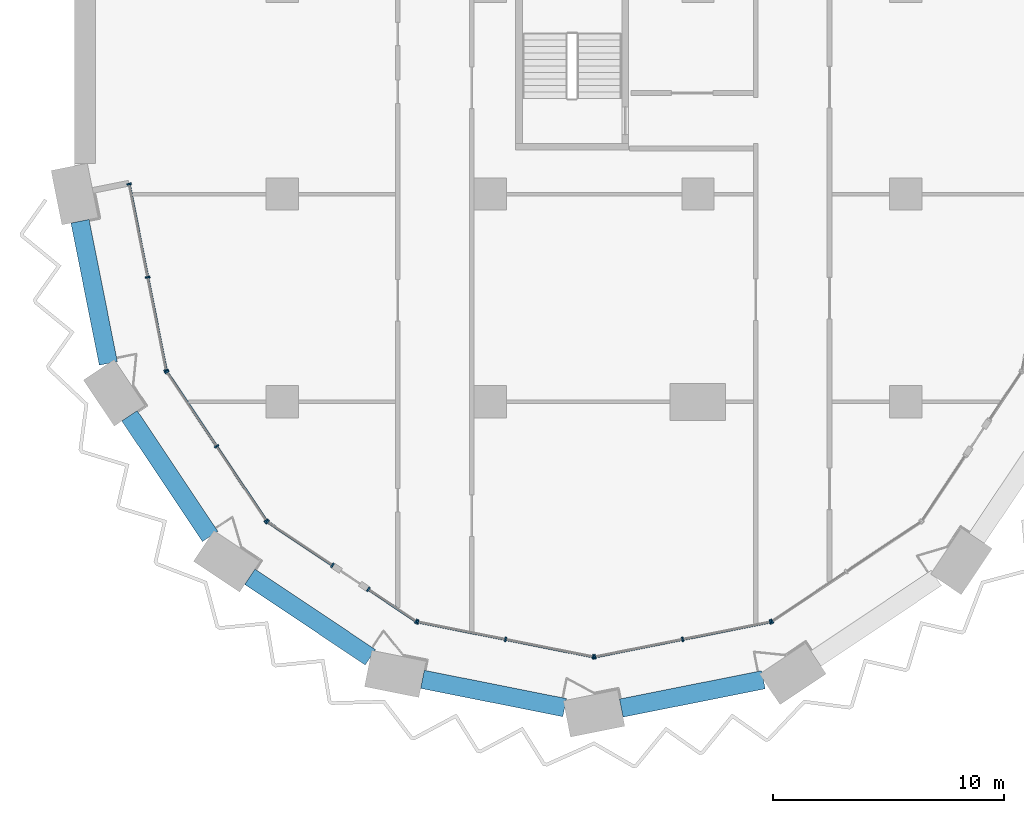
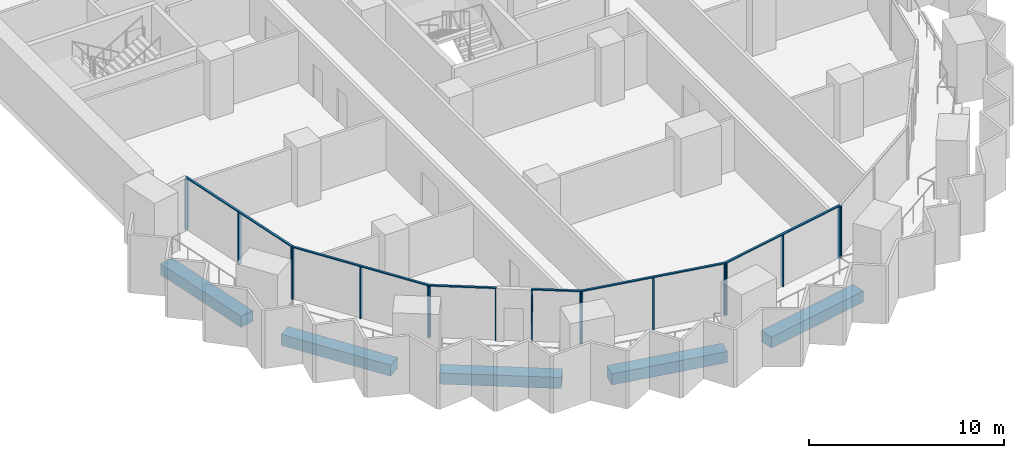
# One storey, part 2 of 29: 23 members, 5 beams, 7 elements without a shape of their own.
"""IFC4 building model written with IfcOpenShell, lengths in metres."""

from ifc_helpers import new_model, si_unit, direction, frame, origin, origin_2d, place, context, subcontext, project, spatial, rectangle, extrude, material, material_profile, profile_set, type_object, element, aggregate, save


model = new_model("IFC4")

# Units and contexts
model_context = context("Model", 3, precision=1e-05, world=origin(), true_north=direction((0.0, 1.0)))
body_context = subcontext(model_context, "Body", "Model", "MODEL_VIEW")
ifc_project = project(units=[si_unit("LENGTHUNIT", "METRE"), si_unit("AREAUNIT", "SQUARE_METRE"), si_unit("VOLUMEUNIT", "CUBIC_METRE"), si_unit("PLANEANGLEUNIT", "RADIAN"), si_unit("MASSUNIT", "GRAM", prefix="KILO")], contexts=[model_context])

# Site, building, storey
site_placement = place(None, origin())
site = spatial("IfcSite", under=ifc_project, at=site_placement, CompositionType="ELEMENT")
building_placement = place(site_placement, origin())
building = spatial("IfcBuilding", under=site, at=building_placement, Name="Hunhe Ridgeline Campus", CompositionType="ELEMENT")
storey_placement = place(building_placement, frame((0.0, 0.0, 69.10009765625)))
storey = spatial("IfcBuildingStorey", under=building, at=storey_placement, Name="L16", CompositionType="ELEMENT", Elevation=69.10009765625)

# Curtain wall, members
ifc_material_1 = material(Name="Aluminium 6063", Category="aluminium")
curtain_wall_type = type_object("IfcCurtainWallType", Name="Curtain wall CW-5", PredefinedType="NOTDEFINED", material=ifc_material_1)
curtain_wall_1_placement = place(storey_placement, origin())
curtain_wall_1 = element("IfcCurtainWall", 1, at=curtain_wall_1_placement, inside=storey, type_object=curtain_wall_type, Name="Curtain wall 01", PredefinedType="NOTDEFINED")
ifc_material_profile_1 = material_profile(ifc_material_1, rectangle(XDim=0.199951171875, YDim=0.070068359375, at=origin_2d()))
ifc_profile_set_1 = profile_set([ifc_material_profile_1], Name="Aluminium 6063")
member_type_1 = type_object("IfcMemberType", Name="CW-5 aluminium mullion", PredefinedType="MULLION", material=ifc_profile_set_1)
member_1_placement = place(storey_placement, frame((2.361572265625, 27.434326171875, 0.0), z_axis=(0.0, 0.0, 1.0), x_axis=(0.980784280831, 0.195095347137, 0.0)))
member_1 = element("IfcMember", 2, at=member_1_placement, type_object=member_type_1, Name="CW-5 mullion 1", PredefinedType="MULLION", context=body_context, shape_type="SweptSolid", body=[
    extrude(rectangle(XDim=0.199951171875, YDim=0.070068359375, at=origin_2d()), origin(), (0.0, 0.0, 1.0), 3.22998046875),
])
member_2_placement = place(storey_placement, frame((3.16455078125, 23.3974609375, 0.0), z_axis=(0.0, 0.0, 1.0), x_axis=(0.980784280831, 0.195095347137, 0.0)))
member_2 = element("IfcMember", 3, at=member_2_placement, type_object=member_type_1, Name="CW-5 mullion 2", PredefinedType="MULLION", context=body_context, shape_type="SweptSolid", body=[
    extrude(rectangle(XDim=0.199951171875, YDim=0.070068359375, at=origin_2d()), origin(), (0.0, 0.0, 1.0), 3.22998046875),
])
member_3_placement = place(storey_placement, frame((3.967529296875, 19.36083984375, 0.0), z_axis=(0.0, 0.0, 1.0), x_axis=(0.980784280831, 0.195095347137, 0.0)))
member_3 = element("IfcMember", 4, at=member_3_placement, type_object=member_type_1, Name="CW-5 mullion 3", PredefinedType="MULLION", context=body_context, shape_type="SweptSolid", body=[
    extrude(rectangle(XDim=0.199951171875, YDim=0.070068359375, at=origin_2d()), origin(), (0.0, 0.0, 1.0), 3.22998046875),
])

curtain_wall_2_placement = place(storey_placement, origin())
curtain_wall_2 = element("IfcCurtainWall", 5, at=curtain_wall_2_placement, inside=storey, type_object=curtain_wall_type, Name="Curtain wall 02", PredefinedType="NOTDEFINED")
member_4_placement = place(storey_placement, frame((3.993896484375, 19.29736328125, 0.0), z_axis=(0.0, 0.0, 1.0), x_axis=(0.831469584522, 0.555570274596, 0.0)))
member_4 = element("IfcMember", 6, at=member_4_placement, type_object=member_type_1, Name="CW-5 mullion 1", PredefinedType="MULLION", context=body_context, shape_type="SweptSolid", body=[
    extrude(rectangle(XDim=0.199951171875, YDim=0.070068359375, at=origin_2d()), origin(), (0.0, 0.0, 1.0), 3.22998046875),
])
member_5_placement = place(storey_placement, frame((6.147705078125, 16.07373046875, 0.0), z_axis=(0.0, 0.0, 1.0), x_axis=(0.831469584522, 0.555570274596, 0.0)))
member_5 = element("IfcMember", 7, at=member_5_placement, type_object=member_type_1, Name="CW-5 mullion 2", PredefinedType="MULLION", context=body_context, shape_type="SweptSolid", body=[
    extrude(rectangle(XDim=0.199951171875, YDim=0.070068359375, at=origin_2d()), origin(), (0.0, 0.0, 1.0), 3.22998046875),
])
member_6_placement = place(storey_placement, frame((8.3017578125, 12.850341796875, 0.0), z_axis=(0.0, 0.0, 1.0), x_axis=(0.831469584522, 0.555570274596, 0.0)))
member_6 = element("IfcMember", 8, at=member_6_placement, type_object=member_type_1, Name="CW-5 mullion 3", PredefinedType="MULLION", context=body_context, shape_type="SweptSolid", body=[
    extrude(rectangle(XDim=0.199951171875, YDim=0.070068359375, at=origin_2d()), origin(), (0.0, 0.0, 1.0), 3.22998046875),
])

curtain_wall_3_placement = place(storey_placement, origin())
curtain_wall_3 = element("IfcCurtainWall", 9, at=curtain_wall_3_placement, inside=storey, type_object=curtain_wall_type, Name="Curtain wall 03", PredefinedType="NOTDEFINED")
member_7_placement = place(storey_placement, frame((8.350341796875, 12.8017578125, 0.0), z_axis=(0.0, 0.0, 1.0), x_axis=(0.555570257501, 0.831469595944, 0.0)))
member_7 = element("IfcMember", 10, at=member_7_placement, type_object=member_type_1, Name="CW-5 mullion 1", PredefinedType="MULLION", context=body_context, shape_type="SweptSolid", body=[
    extrude(rectangle(XDim=0.199951171875, YDim=0.070068359375, at=origin_2d()), origin(), (0.0, 0.0, 1.0), 3.22998046875),
])
member_8_placement = place(storey_placement, frame((11.17041015625, 10.917236328125, 0.0), z_axis=(0.0, 0.0, 1.0), x_axis=(0.555570257501, 0.831469595944, 0.0)))
member_8 = element("IfcMember", 11, at=member_8_placement, type_object=member_type_1, Name="CW-5 mullion 2", PredefinedType="MULLION", context=body_context, shape_type="SweptSolid", body=[
    extrude(rectangle(XDim=0.199951171875, YDim=0.070068359375, at=origin_2d()), origin(), (0.0, 0.0, 1.0), 3.22998046875),
])

curtain_wall_4_placement = place(storey_placement, origin())
curtain_wall_4 = element("IfcCurtainWall", 12, at=curtain_wall_4_placement, inside=storey, type_object=curtain_wall_type, Name="Curtain wall 04", PredefinedType="NOTDEFINED")
member_9_placement = place(storey_placement, frame((12.725341796875, 9.87841796875, 0.0), z_axis=(0.0, 0.0, 1.0), x_axis=(0.555570385598, 0.831469510353, 0.0)))
member_9 = element("IfcMember", 13, at=member_9_placement, type_object=member_type_1, Name="CW-5 mullion 1", PredefinedType="MULLION", context=body_context, shape_type="SweptSolid", body=[
    extrude(rectangle(XDim=0.199951171875, YDim=0.070068359375, at=origin_2d()), origin(), (0.0, 0.0, 1.0), 3.22998046875),
])
member_10_placement = place(storey_placement, frame((14.79736328125, 8.493896484375, 0.0), z_axis=(0.0, 0.0, 1.0), x_axis=(0.555570385598, 0.831469510353, 0.0)))
member_10 = element("IfcMember", 14, at=member_10_placement, type_object=member_type_1, Name="CW-5 mullion 2", PredefinedType="MULLION", context=body_context, shape_type="SweptSolid", body=[
    extrude(rectangle(XDim=0.199951171875, YDim=0.070068359375, at=origin_2d()), origin(), (0.0, 0.0, 1.0), 3.22998046875),
])

curtain_wall_5_placement = place(storey_placement, origin())
curtain_wall_5 = element("IfcCurtainWall", 15, at=curtain_wall_5_placement, inside=storey, type_object=curtain_wall_type, Name="Curtain wall 05", PredefinedType="NOTDEFINED")
member_11_placement = place(storey_placement, frame((14.86083984375, 8.467529296875, 0.0), z_axis=(0.0, 0.0, 1.0), x_axis=(0.195090347539, 0.980785275326, 0.0)))
member_11 = element("IfcMember", 16, at=member_11_placement, type_object=member_type_1, Name="CW-5 mullion 1", PredefinedType="MULLION", context=body_context, shape_type="SweptSolid", body=[
    extrude(rectangle(XDim=0.199951171875, YDim=0.070068359375, at=origin_2d()), origin(), (0.0, 0.0, 1.0), 3.22998046875),
])
member_12_placement = place(storey_placement, frame((18.663330078125, 7.711181640625, 0.0), z_axis=(0.0, 0.0, 1.0), x_axis=(0.195090347539, 0.980785275326, 0.0)))
member_12 = element("IfcMember", 17, at=member_12_placement, type_object=member_type_1, Name="CW-5 mullion 2", PredefinedType="MULLION", context=body_context, shape_type="SweptSolid", body=[
    extrude(rectangle(XDim=0.199951171875, YDim=0.070068359375, at=origin_2d()), origin(), (0.0, 0.0, 1.0), 3.22998046875),
])
member_13_placement = place(storey_placement, frame((22.465576171875, 6.954833984375, 0.0), z_axis=(0.0, 0.0, 1.0), x_axis=(0.195090347539, 0.980785275326, 0.0)))
member_13 = element("IfcMember", 18, at=member_13_placement, type_object=member_type_1, Name="CW-5 mullion 3", PredefinedType="MULLION", context=body_context, shape_type="SweptSolid", body=[
    extrude(rectangle(XDim=0.199951171875, YDim=0.070068359375, at=origin_2d()), origin(), (0.0, 0.0, 1.0), 3.22998046875),
])

curtain_wall_6_placement = place(storey_placement, origin())
curtain_wall_6 = element("IfcCurtainWall", 19, at=curtain_wall_6_placement, inside=storey, type_object=curtain_wall_type, Name="Curtain wall 06", PredefinedType="NOTDEFINED")
member_14_placement = place(storey_placement, frame((22.534423828125, 6.954833984375, 0.0), z_axis=(0.0, 0.0, 1.0), x_axis=(-0.195090347539, 0.980785275326, 0.0)))
member_14 = element("IfcMember", 20, at=member_14_placement, type_object=member_type_1, Name="CW-5 mullion 1", PredefinedType="MULLION", context=body_context, shape_type="SweptSolid", body=[
    extrude(rectangle(XDim=0.199951171875, YDim=0.070068359375, at=origin_2d()), origin(), (0.0, 0.0, 1.0), 3.22998046875),
])
member_15_placement = place(storey_placement, frame((26.336669921875, 7.711181640625, 0.0), z_axis=(0.0, 0.0, 1.0), x_axis=(-0.195090347539, 0.980785275326, 0.0)))
member_15 = element("IfcMember", 21, at=member_15_placement, type_object=member_type_1, Name="CW-5 mullion 2", PredefinedType="MULLION", context=body_context, shape_type="SweptSolid", body=[
    extrude(rectangle(XDim=0.199951171875, YDim=0.070068359375, at=origin_2d()), origin(), (0.0, 0.0, 1.0), 3.22998046875),
])
member_16_placement = place(storey_placement, frame((30.13916015625, 8.467529296875, 0.0), z_axis=(0.0, 0.0, 1.0), x_axis=(-0.195090347539, 0.980785275326, 0.0)))
member_16 = element("IfcMember", 22, at=member_16_placement, type_object=member_type_1, Name="CW-5 mullion 3", PredefinedType="MULLION", context=body_context, shape_type="SweptSolid", body=[
    extrude(rectangle(XDim=0.199951171875, YDim=0.070068359375, at=origin_2d()), origin(), (0.0, 0.0, 1.0), 3.22998046875),
])

# Curtain wall, member
curtain_wall_7_placement = place(storey_placement, origin())
curtain_wall_7 = element("IfcCurtainWall", 23, at=curtain_wall_7_placement, inside=storey, type_object=curtain_wall_type, Name="Curtain wall 07", PredefinedType="NOTDEFINED")
member_17_placement = place(storey_placement, frame((30.20263671875, 8.493896484375, 0.0), z_axis=(0.0, 0.0, 1.0), x_axis=(-0.555570274596, 0.831469584522, 0.0)))
member_17 = element("IfcMember", 24, at=member_17_placement, type_object=member_type_1, Name="CW-5 mullion 1", PredefinedType="MULLION", context=body_context, shape_type="SweptSolid", body=[
    extrude(rectangle(XDim=0.199951171875, YDim=0.070068359375, at=origin_2d()), origin(), (0.0, 0.0, 1.0), 3.22998046875),
])
aggregate(curtain_wall_7, [member_17])

# Member
ifc_material_profile_2 = material_profile(ifc_material_1, rectangle(XDim=0.1201171875, YDim=0.070068359375, at=origin_2d()))
ifc_profile_set_2 = profile_set([ifc_material_profile_2], Name="Aluminium 6063")
member_type_2 = type_object("IfcMemberType", Name="CW-5 aluminium transom", PredefinedType="USERDEFINED", material=ifc_profile_set_2)
member_18_placement = place(storey_placement, frame((2.354736328125, 27.46875, 3.264892578125), z_axis=(0.195092405068, -0.980784866056, 0.0), x_axis=(0.980784866056, 0.195092405068, 0.0)))
member_18 = element("IfcMember", 25, at=member_18_placement, type_object=member_type_2, Name="CW-5 transom 1", ObjectType="TRANSOM", PredefinedType="USERDEFINED", context=body_context, shape_type="SweptSolid", body=[
    extrude(rectangle(XDim=0.1201171875, YDim=0.070068359375, at=origin_2d()), origin(), (0.0, 0.0, 1.0), 8.3017578125),
])

aggregate(curtain_wall_1, [member_18, member_1, member_2, member_3])

member_19_placement = place(storey_placement, frame((3.974365234375, 19.326416015625, 3.264892578125), z_axis=(0.5555640203, -0.831473763475, 0.0), x_axis=(0.831473763475, 0.5555640203, 0.0)))
member_19 = element("IfcMember", 26, at=member_19_placement, type_object=member_type_2, Name="CW-5 transom 1", ObjectType="TRANSOM", PredefinedType="USERDEFINED", context=body_context, shape_type="SweptSolid", body=[
    extrude(rectangle(XDim=0.1201171875, YDim=0.070068359375, at=origin_2d()), origin(), (0.0, 0.0, 1.0), 7.823974609375),
])

aggregate(curtain_wall_2, [member_19, member_4, member_5, member_6])

member_20_placement = place(storey_placement, frame((8.321044921875, 12.821044921875, 3.264892578125), z_axis=(0.831485714606, -0.555546133463, 0.0), x_axis=(0.555546133463, 0.831485714606, 0.0)))
member_20 = element("IfcMember", 27, at=member_20_placement, type_object=member_type_2, Name="CW-5 transom 1", ObjectType="TRANSOM", PredefinedType="USERDEFINED", context=body_context, shape_type="SweptSolid", body=[
    extrude(rectangle(XDim=0.1201171875, YDim=0.070068359375, at=origin_2d()), origin(), (0.0, 0.0, 1.0), 3.462158203125),
])

aggregate(curtain_wall_3, [member_20, member_7, member_8])

member_21_placement = place(storey_placement, frame((12.6962890625, 9.897705078125, 3.264892578125), z_axis=(0.831463388334, -0.555579547735, 0.0), x_axis=(0.555579547735, 0.831463388334, 0.0)))
member_21 = element("IfcMember", 28, at=member_21_placement, type_object=member_type_2, Name="CW-5 transom 1", ObjectType="TRANSOM", PredefinedType="USERDEFINED", context=body_context, shape_type="SweptSolid", body=[
    extrude(rectangle(XDim=0.1201171875, YDim=0.070068359375, at=origin_2d()), origin(), (0.0, 0.0, 1.0), 2.56201171875),
])

aggregate(curtain_wall_4, [member_21, member_9, member_10])

member_22_placement = place(storey_placement, frame((14.826416015625, 8.474365234375, 3.264892578125), z_axis=(0.980785367689, -0.195089883198, 0.0), x_axis=(0.195089883198, 0.980785367689, 0.0)))
member_22 = element("IfcMember", 29, at=member_22_placement, type_object=member_type_2, Name="CW-5 transom 1", ObjectType="TRANSOM", PredefinedType="USERDEFINED", context=body_context, shape_type="SweptSolid", body=[
    extrude(rectangle(XDim=0.1201171875, YDim=0.070068359375, at=origin_2d()), origin(), (0.0, 0.0, 1.0), 7.823974609375),
])

aggregate(curtain_wall_5, [member_22, member_11, member_12, member_13])

member_23_placement = place(storey_placement, frame((22.5, 6.947998046875, 3.264892578125), z_axis=(0.980785367689, 0.195089883198, 0.0), x_axis=(-0.195089883198, 0.980785367689, 0.0)))
member_23 = element("IfcMember", 30, at=member_23_placement, type_object=member_type_2, Name="CW-5 transom 1", ObjectType="TRANSOM", PredefinedType="USERDEFINED", context=body_context, shape_type="SweptSolid", body=[
    extrude(rectangle(XDim=0.1201171875, YDim=0.070068359375, at=origin_2d()), origin(), (0.0, 0.0, 1.0), 7.823974609375),
])

aggregate(curtain_wall_6, [member_23, member_14, member_15, member_16])

# Beams
ifc_material_2 = material(Name="Concrete C60", Category="concrete")
ifc_material_profile_3 = material_profile(ifc_material_2, rectangle(XDim=0.800048828125, YDim=0.699951171875, at=origin_2d()))
ifc_profile_set_3 = profile_set([ifc_material_profile_3], Name="Concrete C60")
beam_type = type_object("IfcBeamType", Name="RC spandrel beam 800x700 Concrete C60", PredefinedType="SPANDREL", material=ifc_profile_set_3)
for number, where, z_axis, x_axis, name in (
    (31, (0.234130859375, 25.822998046875, -0.60009765625), (0.195076855144, -0.980787959034, 0.0), (0.980787959034, 0.195076855144, 0.0), "Spandrel beam B1-1 L16"),
    (32, (2.37939453125, 17.391845703125, -0.60009765625), (0.555570106491, -0.831469696846, 0.0), (0.831469696846, 0.555570106491, 0.0), "Spandrel beam B1-2 L16"),
    (33, (7.587890625, 10.42333984375, -0.60009765625), (0.831469696846, -0.555570106491, 0.0), (0.555570106491, 0.831469696846, 0.0), "Spandrel beam B1-3 L16"),
    (34, (15.066650390625, 5.978515625, -0.60009765625), (0.980787959034, -0.195076855144, 0.0), (0.195076855144, 0.980787959034, 0.0), "Spandrel beam B1-4 L16"),
    (35, (23.677001953125, 4.734130859375, -0.60009765625), (0.980787959034, 0.195076855144, 0.0), (-0.195076855144, 0.980787959034, 0.0), "Spandrel beam B1-5 L16"),
):
    element("IfcBeam", number, at=place(storey_placement, frame(where, z_axis=z_axis, x_axis=x_axis)), inside=storey, type_object=beam_type, Name=name, PredefinedType="SPANDREL", context=body_context, shape_type="SweptSolid", body=[
        extrude(rectangle(XDim=0.800048828125, YDim=0.699951171875, at=origin_2d()), origin(), (0.0, 0.0, 1.0), 6.280029296875),
    ])

save(model, "model.ifc")
